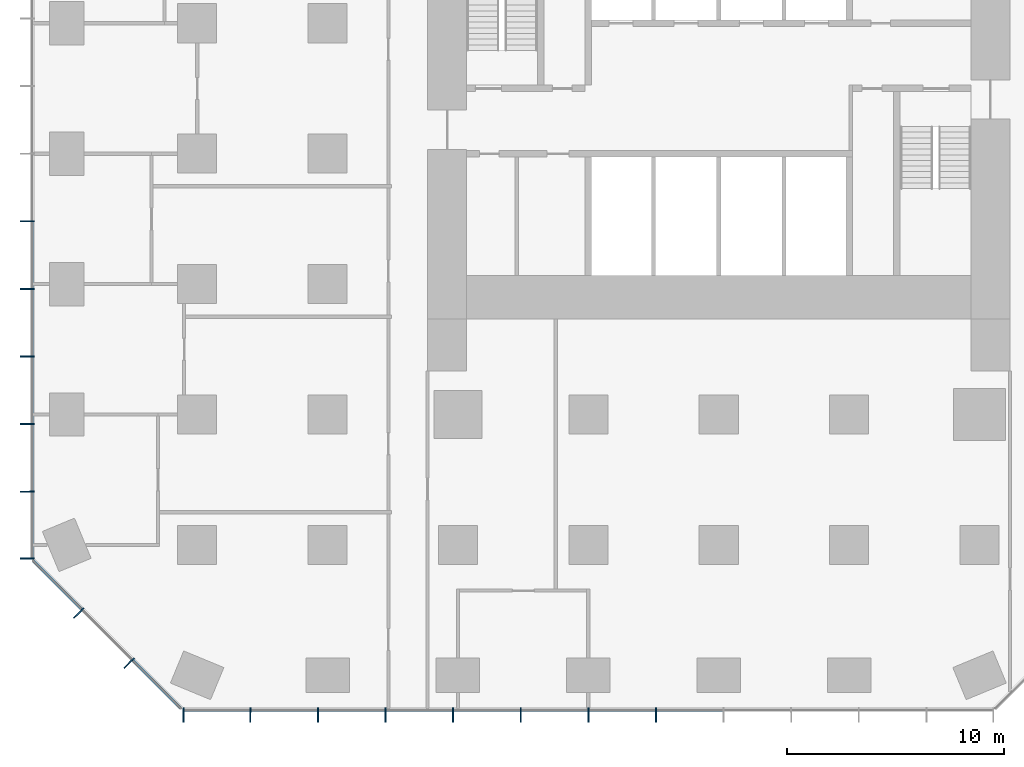
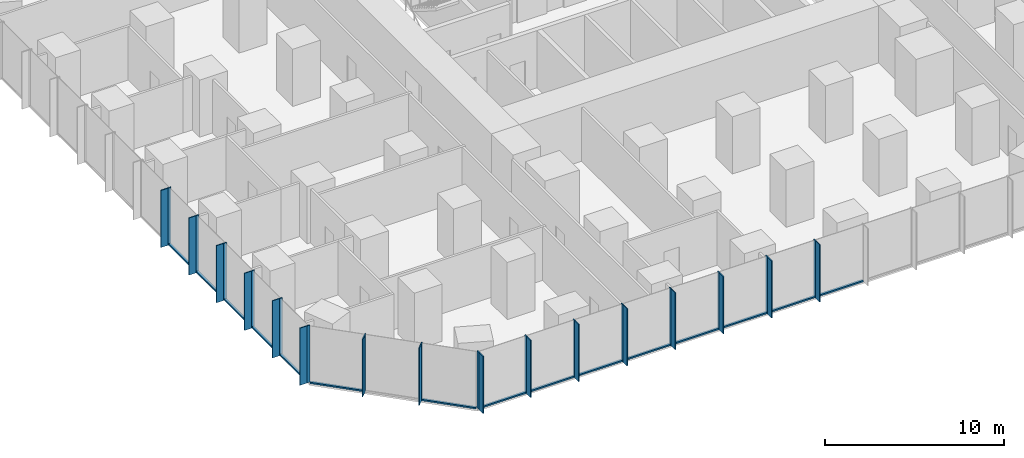
# One storey, part 2 of 11: 47 members, 3 elements without a shape of their own.
"""IFC4 building model written with IfcOpenShell, lengths in metres."""

from ifc_helpers import new_model, si_unit, direction, frame, origin, origin_2d, place, context, subcontext, project, spatial, rectangle, extrude, material, layer, layer_set, material_profile, profile_set, type_object, element, aggregate, save


model = new_model("IFC4")

# Units and contexts
model_context = context("Model", 3, precision=1e-05, world=origin(), true_north=direction((0.0, 1.0)))
body_context = subcontext(model_context, "Body", "Model", "MODEL_VIEW")
ifc_project = project(units=[si_unit("LENGTHUNIT", "METRE"), si_unit("AREAUNIT", "SQUARE_METRE"), si_unit("VOLUMEUNIT", "CUBIC_METRE"), si_unit("PLANEANGLEUNIT", "RADIAN"), si_unit("MASSUNIT", "GRAM", prefix="KILO")], contexts=[model_context])

# Site, building, storey
site_placement = place(None, origin())
site = spatial("IfcSite", under=ifc_project, at=site_placement, CompositionType="ELEMENT")
building_placement = place(site_placement, origin())
building = spatial("IfcBuilding", under=site, at=building_placement, Name="Highveld Stack Headquarters", CompositionType="ELEMENT")
storey_placement = place(building_placement, frame((0.0, 0.0, 29.89990234375)))
storey = spatial("IfcBuildingStorey", under=building, at=storey_placement, Name="L06", CompositionType="ELEMENT", Elevation=29.89990234375)

# Curtain wall, members
ifc_material_1 = material(Name="Aluminium bronze anodised", Category="aluminium")
ifc_layer_1 = layer(ifc_material_1, 0.199951171875)
ifc_layer_set_1 = layer_set([ifc_layer_1], Name="Aluminium bronze anodised")
curtain_wall_type_1 = type_object("IfcCurtainWallType", Name="CW1 TOWER UNITISED CURTAIN WALL", PredefinedType="NOTDEFINED", material=ifc_layer_set_1)
curtain_wall_1_placement = place(storey_placement, origin())
curtain_wall_1 = element("IfcCurtainWall", 1, at=curtain_wall_1_placement, inside=storey, type_object=curtain_wall_type_1, Name="Curtain wall CW1 L06 S", PredefinedType="NOTDEFINED")
ifc_material_2 = material(Name="Aluminium bronze anodised", Category="aluminium")
ifc_material_profile_1 = material_profile(ifc_material_2, rectangle(XDim=0.449951171875, YDim=0.06005859375, at=origin_2d()), Name="FIN 450x60")
ifc_profile_set_1 = profile_set([ifc_material_profile_1], Name="Aluminium bronze anodised")
member_type_1 = type_object("IfcMemberType", Name="CW1 BRONZE FIN 450x60", PredefinedType="USERDEFINED", material=ifc_profile_set_1)
member_1_placement = place(storey_placement, frame((-18.630126953125, -25.925048828125, 0.0), z_axis=(0.0, 0.0, 1.0), x_axis=(0.0, 1.0, 0.0)))
member_1 = element("IfcMember", 2, at=member_1_placement, type_object=member_type_1, Name="CW1 fin L06 1", ObjectType="FIN", PredefinedType="USERDEFINED", context=body_context, shape_type="SweptSolid", body=[
    extrude(rectangle(XDim=0.449951171875, YDim=0.06005859375, at=origin_2d()), origin(), (0.0, 0.0, 1.0), 3.900146484375),
])
member_2_placement = place(storey_placement, frame((-15.55224609375, -25.925048828125, 0.0), z_axis=(0.0, 0.0, 1.0), x_axis=(0.0, 1.0, 0.0)))
member_2 = element("IfcMember", 3, at=member_2_placement, type_object=member_type_1, Name="CW1 fin L06 2", ObjectType="FIN", PredefinedType="USERDEFINED", context=body_context, shape_type="SweptSolid", body=[
    extrude(rectangle(XDim=0.449951171875, YDim=0.06005859375, at=origin_2d()), origin(), (0.0, 0.0, 1.0), 3.900146484375),
])
member_3_placement = place(storey_placement, frame((-12.44189453125, -25.925048828125, 0.0), z_axis=(0.0, 0.0, 1.0), x_axis=(0.0, 1.0, 0.0)))
member_3 = element("IfcMember", 4, at=member_3_placement, type_object=member_type_1, Name="CW1 fin L06 3", ObjectType="FIN", PredefinedType="USERDEFINED", context=body_context, shape_type="SweptSolid", body=[
    extrude(rectangle(XDim=0.449951171875, YDim=0.06005859375, at=origin_2d()), origin(), (0.0, 0.0, 1.0), 3.900146484375),
])
member_4_placement = place(storey_placement, frame((-9.331298828125, -25.925048828125, 0.0), z_axis=(0.0, 0.0, 1.0), x_axis=(0.0, 1.0, 0.0)))
member_4 = element("IfcMember", 5, at=member_4_placement, type_object=member_type_1, Name="CW1 fin L06 4", ObjectType="FIN", PredefinedType="USERDEFINED", context=body_context, shape_type="SweptSolid", body=[
    extrude(rectangle(XDim=0.449951171875, YDim=0.06005859375, at=origin_2d()), origin(), (0.0, 0.0, 1.0), 3.900146484375),
])
member_5_placement = place(storey_placement, frame((-6.220947265625, -25.925048828125, 0.0), z_axis=(0.0, 0.0, 1.0), x_axis=(0.0, 1.0, 0.0)))
member_5 = element("IfcMember", 6, at=member_5_placement, type_object=member_type_1, Name="CW1 fin L06 5", ObjectType="FIN", PredefinedType="USERDEFINED", context=body_context, shape_type="SweptSolid", body=[
    extrude(rectangle(XDim=0.449951171875, YDim=0.06005859375, at=origin_2d()), origin(), (0.0, 0.0, 1.0), 3.900146484375),
])
member_6_placement = place(storey_placement, frame((-3.110595703125, -25.925048828125, 0.0), z_axis=(0.0, 0.0, 1.0), x_axis=(0.0, 1.0, 0.0)))
member_6 = element("IfcMember", 7, at=member_6_placement, type_object=member_type_1, Name="CW1 fin L06 6", ObjectType="FIN", PredefinedType="USERDEFINED", context=body_context, shape_type="SweptSolid", body=[
    extrude(rectangle(XDim=0.449951171875, YDim=0.06005859375, at=origin_2d()), origin(), (0.0, 0.0, 1.0), 3.900146484375),
])
member_7_placement = place(storey_placement, frame((0.0, -25.925048828125, 0.0), z_axis=(0.0, 0.0, 1.0), x_axis=(0.0, 1.0, 0.0)))
member_7 = element("IfcMember", 8, at=member_7_placement, type_object=member_type_1, Name="CW1 fin L06 7", ObjectType="FIN", PredefinedType="USERDEFINED", context=body_context, shape_type="SweptSolid", body=[
    extrude(rectangle(XDim=0.449951171875, YDim=0.06005859375, at=origin_2d()), origin(), (0.0, 0.0, 1.0), 3.900146484375),
])
member_8_placement = place(storey_placement, frame((3.110595703125, -25.925048828125, 0.0), z_axis=(0.0, 0.0, 1.0), x_axis=(0.0, 1.0, 0.0)))
member_8 = element("IfcMember", 9, at=member_8_placement, type_object=member_type_1, Name="CW1 fin L06 8", ObjectType="FIN", PredefinedType="USERDEFINED", context=body_context, shape_type="SweptSolid", body=[
    extrude(rectangle(XDim=0.449951171875, YDim=0.06005859375, at=origin_2d()), origin(), (0.0, 0.0, 1.0), 3.900146484375),
])

curtain_wall_2_placement = place(storey_placement, origin())
curtain_wall_2 = element("IfcCurtainWall", 10, at=curtain_wall_2_placement, inside=storey, type_object=curtain_wall_type_1, Name="Curtain wall CW1 L06 W", PredefinedType="NOTDEFINED")
member_9_placement = place(storey_placement, frame((-25.925048828125, -3.110595703125, 0.0), z_axis=(0.0, 0.0, 1.0), x_axis=(1.0, 0.0, 0.0)))
member_9 = element("IfcMember", 11, at=member_9_placement, type_object=member_type_1, Name="CW1 fin L06 8", ObjectType="FIN", PredefinedType="USERDEFINED", context=body_context, shape_type="SweptSolid", body=[
    extrude(rectangle(XDim=0.449951171875, YDim=0.06005859375, at=origin_2d()), origin(), (0.0, 0.0, 1.0), 3.900146484375),
])
member_10_placement = place(storey_placement, frame((-25.925048828125, -6.220947265625, 0.0), z_axis=(0.0, 0.0, 1.0), x_axis=(1.0, 0.0, 0.0)))
member_10 = element("IfcMember", 12, at=member_10_placement, type_object=member_type_1, Name="CW1 fin L06 9", ObjectType="FIN", PredefinedType="USERDEFINED", context=body_context, shape_type="SweptSolid", body=[
    extrude(rectangle(XDim=0.449951171875, YDim=0.06005859375, at=origin_2d()), origin(), (0.0, 0.0, 1.0), 3.900146484375),
])
member_11_placement = place(storey_placement, frame((-25.925048828125, -9.331298828125, 0.0), z_axis=(0.0, 0.0, 1.0), x_axis=(1.0, 0.0, 0.0)))
member_11 = element("IfcMember", 13, at=member_11_placement, type_object=member_type_1, Name="CW1 fin L06 10", ObjectType="FIN", PredefinedType="USERDEFINED", context=body_context, shape_type="SweptSolid", body=[
    extrude(rectangle(XDim=0.449951171875, YDim=0.06005859375, at=origin_2d()), origin(), (0.0, 0.0, 1.0), 3.900146484375),
])
member_12_placement = place(storey_placement, frame((-25.925048828125, -12.44189453125, 0.0), z_axis=(0.0, 0.0, 1.0), x_axis=(1.0, 0.0, 0.0)))
member_12 = element("IfcMember", 14, at=member_12_placement, type_object=member_type_1, Name="CW1 fin L06 11", ObjectType="FIN", PredefinedType="USERDEFINED", context=body_context, shape_type="SweptSolid", body=[
    extrude(rectangle(XDim=0.449951171875, YDim=0.06005859375, at=origin_2d()), origin(), (0.0, 0.0, 1.0), 3.900146484375),
])
member_13_placement = place(storey_placement, frame((-25.925048828125, -15.55224609375, 0.0), z_axis=(0.0, 0.0, 1.0), x_axis=(1.0, 0.0, 0.0)))
member_13 = element("IfcMember", 15, at=member_13_placement, type_object=member_type_1, Name="CW1 fin L06 12", ObjectType="FIN", PredefinedType="USERDEFINED", context=body_context, shape_type="SweptSolid", body=[
    extrude(rectangle(XDim=0.449951171875, YDim=0.06005859375, at=origin_2d()), origin(), (0.0, 0.0, 1.0), 3.900146484375),
])
member_14_placement = place(storey_placement, frame((-25.925048828125, -18.630126953125, 0.0), z_axis=(0.0, 0.0, 1.0), x_axis=(1.0, 0.0, 0.0)))
member_14 = element("IfcMember", 16, at=member_14_placement, type_object=member_type_1, Name="CW1 fin L06 13", ObjectType="FIN", PredefinedType="USERDEFINED", context=body_context, shape_type="SweptSolid", body=[
    extrude(rectangle(XDim=0.449951171875, YDim=0.06005859375, at=origin_2d()), origin(), (0.0, 0.0, 1.0), 3.900146484375),
])

# Member
ifc_material_3 = material(Name="Aluminium bronze anodised", Category="aluminium")
ifc_material_profile_2 = material_profile(ifc_material_3, rectangle(XDim=0.199951171875, YDim=0.06494140625, at=origin_2d()), Name="CW1 MULLION 65x200")
ifc_profile_set_2 = profile_set([ifc_material_profile_2], Name="Aluminium bronze anodised")
member_type_2 = type_object("IfcMemberType", Name="CW1 MULLION 65x200", PredefinedType="MULLION", material=ifc_profile_set_2)
member_15_placement = place(storey_placement, frame((-18.630126953125, -25.60009765625, 0.0), z_axis=(0.0, 0.0, 1.0), x_axis=(0.0, 1.0, 0.0)))
member_15 = element("IfcMember", 17, at=member_15_placement, type_object=member_type_2, Name="CW1 mullion L06 1", PredefinedType="MULLION", context=body_context, shape_type="SweptSolid", body=[
    extrude(rectangle(XDim=0.199951171875, YDim=0.06494140625, at=origin_2d()), origin(), (0.0, 0.0, 1.0), 3.900146484375),
])

member_16_placement = place(storey_placement, frame((-15.55224609375, -25.60009765625, 0.0), z_axis=(0.0, 0.0, 1.0), x_axis=(0.0, 1.0, 0.0)))
member_16 = element("IfcMember", 18, at=member_16_placement, type_object=member_type_2, Name="CW1 mullion L06 2", PredefinedType="MULLION", context=body_context, shape_type="SweptSolid", body=[
    extrude(rectangle(XDim=0.199951171875, YDim=0.06494140625, at=origin_2d()), origin(), (0.0, 0.0, 1.0), 3.900146484375),
])

member_17_placement = place(storey_placement, frame((-12.44189453125, -25.60009765625, 0.0), z_axis=(0.0, 0.0, 1.0), x_axis=(0.0, 1.0, 0.0)))
member_17 = element("IfcMember", 19, at=member_17_placement, type_object=member_type_2, Name="CW1 mullion L06 3", PredefinedType="MULLION", context=body_context, shape_type="SweptSolid", body=[
    extrude(rectangle(XDim=0.199951171875, YDim=0.06494140625, at=origin_2d()), origin(), (0.0, 0.0, 1.0), 3.900146484375),
])

member_18_placement = place(storey_placement, frame((-9.331298828125, -25.60009765625, 0.0), z_axis=(0.0, 0.0, 1.0), x_axis=(0.0, 1.0, 0.0)))
member_18 = element("IfcMember", 20, at=member_18_placement, type_object=member_type_2, Name="CW1 mullion L06 4", PredefinedType="MULLION", context=body_context, shape_type="SweptSolid", body=[
    extrude(rectangle(XDim=0.199951171875, YDim=0.06494140625, at=origin_2d()), origin(), (0.0, 0.0, 1.0), 3.900146484375),
])

member_19_placement = place(storey_placement, frame((-6.220947265625, -25.60009765625, 0.0), z_axis=(0.0, 0.0, 1.0), x_axis=(0.0, 1.0, 0.0)))
member_19 = element("IfcMember", 21, at=member_19_placement, type_object=member_type_2, Name="CW1 mullion L06 5", PredefinedType="MULLION", context=body_context, shape_type="SweptSolid", body=[
    extrude(rectangle(XDim=0.199951171875, YDim=0.06494140625, at=origin_2d()), origin(), (0.0, 0.0, 1.0), 3.900146484375),
])

member_20_placement = place(storey_placement, frame((-3.110595703125, -25.60009765625, 0.0), z_axis=(0.0, 0.0, 1.0), x_axis=(0.0, 1.0, 0.0)))
member_20 = element("IfcMember", 22, at=member_20_placement, type_object=member_type_2, Name="CW1 mullion L06 6", PredefinedType="MULLION", context=body_context, shape_type="SweptSolid", body=[
    extrude(rectangle(XDim=0.199951171875, YDim=0.06494140625, at=origin_2d()), origin(), (0.0, 0.0, 1.0), 3.900146484375),
])

member_21_placement = place(storey_placement, frame((0.0, -25.60009765625, 0.0), z_axis=(0.0, 0.0, 1.0), x_axis=(0.0, 1.0, 0.0)))
member_21 = element("IfcMember", 23, at=member_21_placement, type_object=member_type_2, Name="CW1 mullion L06 7", PredefinedType="MULLION", context=body_context, shape_type="SweptSolid", body=[
    extrude(rectangle(XDim=0.199951171875, YDim=0.06494140625, at=origin_2d()), origin(), (0.0, 0.0, 1.0), 3.900146484375),
])

member_22_placement = place(storey_placement, frame((3.110595703125, -25.60009765625, 0.0), z_axis=(0.0, 0.0, 1.0), x_axis=(0.0, 1.0, 0.0)))
member_22 = element("IfcMember", 24, at=member_22_placement, type_object=member_type_2, Name="CW1 mullion L06 8", PredefinedType="MULLION", context=body_context, shape_type="SweptSolid", body=[
    extrude(rectangle(XDim=0.199951171875, YDim=0.06494140625, at=origin_2d()), origin(), (0.0, 0.0, 1.0), 3.900146484375),
])

member_23_placement = place(storey_placement, frame((-25.60009765625, -3.110595703125, 0.0), z_axis=(0.0, 0.0, 1.0), x_axis=(1.0, 0.0, 0.0)))
member_23 = element("IfcMember", 25, at=member_23_placement, type_object=member_type_2, Name="CW1 mullion L06 8", PredefinedType="MULLION", context=body_context, shape_type="SweptSolid", body=[
    extrude(rectangle(XDim=0.199951171875, YDim=0.06494140625, at=origin_2d()), origin(), (0.0, 0.0, 1.0), 3.900146484375),
])

member_24_placement = place(storey_placement, frame((-25.60009765625, -6.220947265625, 0.0), z_axis=(0.0, 0.0, 1.0), x_axis=(1.0, 0.0, 0.0)))
member_24 = element("IfcMember", 26, at=member_24_placement, type_object=member_type_2, Name="CW1 mullion L06 9", PredefinedType="MULLION", context=body_context, shape_type="SweptSolid", body=[
    extrude(rectangle(XDim=0.199951171875, YDim=0.06494140625, at=origin_2d()), origin(), (0.0, 0.0, 1.0), 3.900146484375),
])

member_25_placement = place(storey_placement, frame((-25.60009765625, -9.331298828125, 0.0), z_axis=(0.0, 0.0, 1.0), x_axis=(1.0, 0.0, 0.0)))
member_25 = element("IfcMember", 27, at=member_25_placement, type_object=member_type_2, Name="CW1 mullion L06 10", PredefinedType="MULLION", context=body_context, shape_type="SweptSolid", body=[
    extrude(rectangle(XDim=0.199951171875, YDim=0.06494140625, at=origin_2d()), origin(), (0.0, 0.0, 1.0), 3.900146484375),
])

member_26_placement = place(storey_placement, frame((-25.60009765625, -12.44189453125, 0.0), z_axis=(0.0, 0.0, 1.0), x_axis=(1.0, 0.0, 0.0)))
member_26 = element("IfcMember", 28, at=member_26_placement, type_object=member_type_2, Name="CW1 mullion L06 11", PredefinedType="MULLION", context=body_context, shape_type="SweptSolid", body=[
    extrude(rectangle(XDim=0.199951171875, YDim=0.06494140625, at=origin_2d()), origin(), (0.0, 0.0, 1.0), 3.900146484375),
])

member_27_placement = place(storey_placement, frame((-25.60009765625, -15.55224609375, 0.0), z_axis=(0.0, 0.0, 1.0), x_axis=(1.0, 0.0, 0.0)))
member_27 = element("IfcMember", 29, at=member_27_placement, type_object=member_type_2, Name="CW1 mullion L06 12", PredefinedType="MULLION", context=body_context, shape_type="SweptSolid", body=[
    extrude(rectangle(XDim=0.199951171875, YDim=0.06494140625, at=origin_2d()), origin(), (0.0, 0.0, 1.0), 3.900146484375),
])

member_28_placement = place(storey_placement, frame((-25.60009765625, -18.630126953125, 0.0), z_axis=(0.0, 0.0, 1.0), x_axis=(1.0, 0.0, 0.0)))
member_28 = element("IfcMember", 30, at=member_28_placement, type_object=member_type_2, Name="CW1 mullion L06 13", PredefinedType="MULLION", context=body_context, shape_type="SweptSolid", body=[
    extrude(rectangle(XDim=0.199951171875, YDim=0.06494140625, at=origin_2d()), origin(), (0.0, 0.0, 1.0), 3.900146484375),
])

ifc_material_4 = material(Name="Aluminium bronze anodised", Category="aluminium")
ifc_material_profile_3 = material_profile(ifc_material_4, rectangle(XDim=0.14990234375, YDim=0.10009765625, at=origin_2d()), Name="CW1 TRANSOM 150x100")
ifc_profile_set_3 = profile_set([ifc_material_profile_3], Name="Aluminium bronze anodised")
member_type_3 = type_object("IfcMemberType", Name="CW1 STACK TRANSOM 150x100", PredefinedType="USERDEFINED", material=ifc_profile_set_3)
member_29_placement = place(storey_placement, frame((-18.59765625, -25.60009765625, 0.050048828125), z_axis=(1.0, 0.0, 0.0), x_axis=(0.0, 1.0, 0.0)))
member_29 = element("IfcMember", 31, at=member_29_placement, type_object=member_type_3, Name="CW1 transom L06 1.1", ObjectType="TRANSOM", PredefinedType="USERDEFINED", context=body_context, shape_type="SweptSolid", body=[
    extrude(rectangle(XDim=0.14990234375, YDim=0.10009765625, at=origin_2d()), origin(), (0.0, 0.0, 1.0), 3.012939453125),
])

member_30_placement = place(storey_placement, frame((-15.519775390625, -25.60009765625, 0.050048828125), z_axis=(1.0, 0.0, 0.0), x_axis=(0.0, 1.0, 0.0)))
member_30 = element("IfcMember", 32, at=member_30_placement, type_object=member_type_3, Name="CW1 transom L06 2.1", ObjectType="TRANSOM", PredefinedType="USERDEFINED", context=body_context, shape_type="SweptSolid", body=[
    extrude(rectangle(XDim=0.14990234375, YDim=0.10009765625, at=origin_2d()), origin(), (0.0, 0.0, 1.0), 3.04541015625),
])

member_31_placement = place(storey_placement, frame((-12.4091796875, -25.60009765625, 0.050048828125), z_axis=(1.0, 0.0, 0.0), x_axis=(0.0, 1.0, 0.0)))
member_31 = element("IfcMember", 33, at=member_31_placement, type_object=member_type_3, Name="CW1 transom L06 3.1", ObjectType="TRANSOM", PredefinedType="USERDEFINED", context=body_context, shape_type="SweptSolid", body=[
    extrude(rectangle(XDim=0.14990234375, YDim=0.10009765625, at=origin_2d()), origin(), (0.0, 0.0, 1.0), 3.045166015625),
])

member_32_placement = place(storey_placement, frame((-9.298828125, -25.60009765625, 0.050048828125), z_axis=(1.0, 0.0, 0.0), x_axis=(0.0, 1.0, 0.0)))
member_32 = element("IfcMember", 34, at=member_32_placement, type_object=member_type_3, Name="CW1 transom L06 4.1", ObjectType="TRANSOM", PredefinedType="USERDEFINED", context=body_context, shape_type="SweptSolid", body=[
    extrude(rectangle(XDim=0.14990234375, YDim=0.10009765625, at=origin_2d()), origin(), (0.0, 0.0, 1.0), 3.04541015625),
])

member_33_placement = place(storey_placement, frame((-6.1884765625, -25.60009765625, 0.050048828125), z_axis=(1.0, 0.0, 0.0), x_axis=(0.0, 1.0, 0.0)))
member_33 = element("IfcMember", 35, at=member_33_placement, type_object=member_type_3, Name="CW1 transom L06 5.1", ObjectType="TRANSOM", PredefinedType="USERDEFINED", context=body_context, shape_type="SweptSolid", body=[
    extrude(rectangle(XDim=0.14990234375, YDim=0.10009765625, at=origin_2d()), origin(), (0.0, 0.0, 1.0), 3.04541015625),
])

member_34_placement = place(storey_placement, frame((-3.077880859375, -25.60009765625, 0.050048828125), z_axis=(1.0, 0.0, 0.0), x_axis=(0.0, 1.0, 0.0)))
member_34 = element("IfcMember", 36, at=member_34_placement, type_object=member_type_3, Name="CW1 transom L06 6.1", ObjectType="TRANSOM", PredefinedType="USERDEFINED", context=body_context, shape_type="SweptSolid", body=[
    extrude(rectangle(XDim=0.14990234375, YDim=0.10009765625, at=origin_2d()), origin(), (0.0, 0.0, 1.0), 3.04541015625),
])

member_35_placement = place(storey_placement, frame((0.032470703125, -25.60009765625, 0.050048828125), z_axis=(1.0, 0.0, 0.0), x_axis=(0.0, 1.0, 0.0)))
member_35 = element("IfcMember", 37, at=member_35_placement, type_object=member_type_3, Name="CW1 transom L06 7.1", ObjectType="TRANSOM", PredefinedType="USERDEFINED", context=body_context, shape_type="SweptSolid", body=[
    extrude(rectangle(XDim=0.14990234375, YDim=0.10009765625, at=origin_2d()), origin(), (0.0, 0.0, 1.0), 3.04541015625),
])

member_36_placement = place(storey_placement, frame((3.142822265625, -25.60009765625, 0.050048828125), z_axis=(1.0, 0.0, 0.0), x_axis=(0.0, 1.0, 0.0)))
member_36 = element("IfcMember", 38, at=member_36_placement, type_object=member_type_3, Name="CW1 transom L06 8.1", ObjectType="TRANSOM", PredefinedType="USERDEFINED", context=body_context, shape_type="SweptSolid", body=[
    extrude(rectangle(XDim=0.14990234375, YDim=0.10009765625, at=origin_2d()), origin(), (0.0, 0.0, 1.0), 3.045654296875),
])

aggregate(curtain_wall_1, [member_15, member_1, member_16, member_2, member_17, member_3, member_18, member_4, member_19, member_5, member_20, member_6, member_21, member_7, member_22, member_8, member_29, member_30, member_31, member_32, member_33, member_34, member_35, member_36])

member_37_placement = place(storey_placement, frame((-25.60009765625, -3.142822265625, 0.050048828125), z_axis=(0.0, -1.0, 0.0), x_axis=(1.0, 0.0, 0.0)))
member_37 = element("IfcMember", 39, at=member_37_placement, type_object=member_type_3, Name="CW1 transom L06 8.1", ObjectType="TRANSOM", PredefinedType="USERDEFINED", context=body_context, shape_type="SweptSolid", body=[
    extrude(rectangle(XDim=0.14990234375, YDim=0.10009765625, at=origin_2d()), origin(), (0.0, 0.0, 1.0), 3.045654296875),
])

member_38_placement = place(storey_placement, frame((-25.60009765625, -6.25341796875, 0.050048828125), z_axis=(0.0, -1.0, 0.0), x_axis=(1.0, 0.0, 0.0)))
member_38 = element("IfcMember", 40, at=member_38_placement, type_object=member_type_3, Name="CW1 transom L06 9.1", ObjectType="TRANSOM", PredefinedType="USERDEFINED", context=body_context, shape_type="SweptSolid", body=[
    extrude(rectangle(XDim=0.14990234375, YDim=0.10009765625, at=origin_2d()), origin(), (0.0, 0.0, 1.0), 3.04541015625),
])

member_39_placement = place(storey_placement, frame((-25.60009765625, -9.36376953125, 0.050048828125), z_axis=(0.0, -1.0, 0.0), x_axis=(1.0, 0.0, 0.0)))
member_39 = element("IfcMember", 41, at=member_39_placement, type_object=member_type_3, Name="CW1 transom L06 10.1", ObjectType="TRANSOM", PredefinedType="USERDEFINED", context=body_context, shape_type="SweptSolid", body=[
    extrude(rectangle(XDim=0.14990234375, YDim=0.10009765625, at=origin_2d()), origin(), (0.0, 0.0, 1.0), 3.04541015625),
])

member_40_placement = place(storey_placement, frame((-25.60009765625, -12.474365234375, 0.050048828125), z_axis=(0.0, -1.0, 0.0), x_axis=(1.0, 0.0, 0.0)))
member_40 = element("IfcMember", 42, at=member_40_placement, type_object=member_type_3, Name="CW1 transom L06 11.1", ObjectType="TRANSOM", PredefinedType="USERDEFINED", context=body_context, shape_type="SweptSolid", body=[
    extrude(rectangle(XDim=0.14990234375, YDim=0.10009765625, at=origin_2d()), origin(), (0.0, 0.0, 1.0), 3.04541015625),
])

member_41_placement = place(storey_placement, frame((-25.60009765625, -15.584716796875, 0.050048828125), z_axis=(0.0, -1.0, 0.0), x_axis=(1.0, 0.0, 0.0)))
member_41 = element("IfcMember", 43, at=member_41_placement, type_object=member_type_3, Name="CW1 transom L06 12.1", ObjectType="TRANSOM", PredefinedType="USERDEFINED", context=body_context, shape_type="SweptSolid", body=[
    extrude(rectangle(XDim=0.14990234375, YDim=0.10009765625, at=origin_2d()), origin(), (0.0, 0.0, 1.0), 3.012939453125),
])

aggregate(curtain_wall_2, [member_23, member_9, member_24, member_10, member_25, member_11, member_26, member_12, member_27, member_13, member_28, member_14, member_37, member_38, member_39, member_40, member_41])

# Curtain wall, members
ifc_material_5 = material(Name="Aluminium bronze anodised", Category="aluminium")
ifc_layer_2 = layer(ifc_material_5, 0.199951171875)
ifc_layer_set_2 = layer_set([ifc_layer_2], Name="Aluminium bronze anodised")
curtain_wall_type_2 = type_object("IfcCurtainWallType", Name="CW2 TOWER CHAMFER UNITISED CURTAIN WALL", PredefinedType="NOTDEFINED", material=ifc_layer_set_2)
curtain_wall_3_placement = place(storey_placement, origin())
curtain_wall_3 = element("IfcCurtainWall", 44, at=curtain_wall_3_placement, inside=storey, type_object=curtain_wall_type_2, Name="Curtain wall CW2 L06 SW", PredefinedType="NOTDEFINED")
ifc_material_6 = material(Name="Aluminium bronze anodised", Category="aluminium")
ifc_material_profile_4 = material_profile(ifc_material_6, rectangle(XDim=0.449951171875, YDim=0.06005859375, at=origin_2d()), Name="FIN 450x60")
ifc_profile_set_4 = profile_set([ifc_material_profile_4], Name="Aluminium bronze anodised")
member_type_4 = type_object("IfcMemberType", Name="CW2 BRONZE FIN 450x60", PredefinedType="USERDEFINED", material=ifc_profile_set_4)
member_42_placement = place(storey_placement, frame((-23.517333984375, -21.204833984375, 0.0), z_axis=(0.0, 0.0, 1.0), x_axis=(0.707106781187, 0.707106781187, 0.0)))
member_42 = element("IfcMember", 45, at=member_42_placement, type_object=member_type_4, Name="CW2 fin L06 1", ObjectType="FIN", PredefinedType="USERDEFINED", context=body_context, shape_type="SweptSolid", body=[
    extrude(rectangle(XDim=0.449951171875, YDim=0.06005859375, at=origin_2d()), origin(), (0.0, 0.0, 1.0), 3.900146484375),
])
member_43_placement = place(storey_placement, frame((-21.204833984375, -23.517333984375, 0.0), z_axis=(0.0, 0.0, 1.0), x_axis=(0.707106781187, 0.707106781187, 0.0)))
member_43 = element("IfcMember", 46, at=member_43_placement, type_object=member_type_4, Name="CW2 fin L06 2", ObjectType="FIN", PredefinedType="USERDEFINED", context=body_context, shape_type="SweptSolid", body=[
    extrude(rectangle(XDim=0.449951171875, YDim=0.06005859375, at=origin_2d()), origin(), (0.0, 0.0, 1.0), 3.900146484375),
])
ifc_material_7 = material(Name="Aluminium bronze anodised", Category="aluminium")
ifc_material_profile_5 = material_profile(ifc_material_7, rectangle(XDim=0.199951171875, YDim=0.06494140625, at=origin_2d()), Name="CW2 MULLION 65x200")
ifc_profile_set_5 = profile_set([ifc_material_profile_5], Name="Aluminium bronze anodised")
member_type_5 = type_object("IfcMemberType", Name="CW2 MULLION 65x200", PredefinedType="MULLION", material=ifc_profile_set_5)
member_44_placement = place(storey_placement, frame((-23.28759765625, -20.97509765625, 0.0), z_axis=(0.0, 0.0, 1.0), x_axis=(0.707106781187, 0.707106781187, 0.0)))
member_44 = element("IfcMember", 47, at=member_44_placement, type_object=member_type_5, Name="CW2 mullion L06 1", PredefinedType="MULLION", context=body_context, shape_type="SweptSolid", body=[
    extrude(rectangle(XDim=0.199951171875, YDim=0.06494140625, at=origin_2d()), origin(), (0.0, 0.0, 1.0), 3.900146484375),
])
member_45_placement = place(storey_placement, frame((-20.97509765625, -23.28759765625, 0.0), z_axis=(0.0, 0.0, 1.0), x_axis=(0.707106781187, 0.707106781187, 0.0)))
member_45 = element("IfcMember", 48, at=member_45_placement, type_object=member_type_5, Name="CW2 mullion L06 2", PredefinedType="MULLION", context=body_context, shape_type="SweptSolid", body=[
    extrude(rectangle(XDim=0.199951171875, YDim=0.06494140625, at=origin_2d()), origin(), (0.0, 0.0, 1.0), 3.900146484375),
])
ifc_material_8 = material(Name="Aluminium bronze anodised", Category="aluminium")
ifc_material_profile_6 = material_profile(ifc_material_8, rectangle(XDim=0.14990234375, YDim=0.10009765625, at=origin_2d()), Name="CW2 TRANSOM 150x100")
ifc_profile_set_6 = profile_set([ifc_material_profile_6], Name="Aluminium bronze anodised")
member_type_6 = type_object("IfcMemberType", Name="CW2 STACK TRANSOM 150x100", PredefinedType="USERDEFINED", material=ifc_profile_set_6)
member_46_placement = place(storey_placement, frame((-25.529296875, -18.7333984375, 0.050048828125), z_axis=(0.707106781187, -0.707106781187, 0.0), x_axis=(0.707106781187, 0.707106781187, 0.0)))
member_46 = element("IfcMember", 49, at=member_46_placement, type_object=member_type_6, Name="CW2 transom L06 1.1", ObjectType="TRANSOM", PredefinedType="USERDEFINED", context=body_context, shape_type="SweptSolid", body=[
    extrude(rectangle(XDim=0.14990234375, YDim=0.10009765625, at=origin_2d()), origin(), (0.0, 0.0, 1.0), 3.1376953125),
])
member_47_placement = place(storey_placement, frame((-20.9521484375, -23.310546875, 0.050048828125), z_axis=(0.707106781187, -0.707106781187, 0.0), x_axis=(0.707106781187, 0.707106781187, 0.0)))
member_47 = element("IfcMember", 50, at=member_47_placement, type_object=member_type_6, Name="CW2 transom L06 3.1", ObjectType="TRANSOM", PredefinedType="USERDEFINED", context=body_context, shape_type="SweptSolid", body=[
    extrude(rectangle(XDim=0.14990234375, YDim=0.10009765625, at=origin_2d()), origin(), (0.0, 0.0, 1.0), 3.1376953125),
])
aggregate(curtain_wall_3, [member_44, member_42, member_45, member_43, member_46, member_47])

save(model, "model.ifc")
